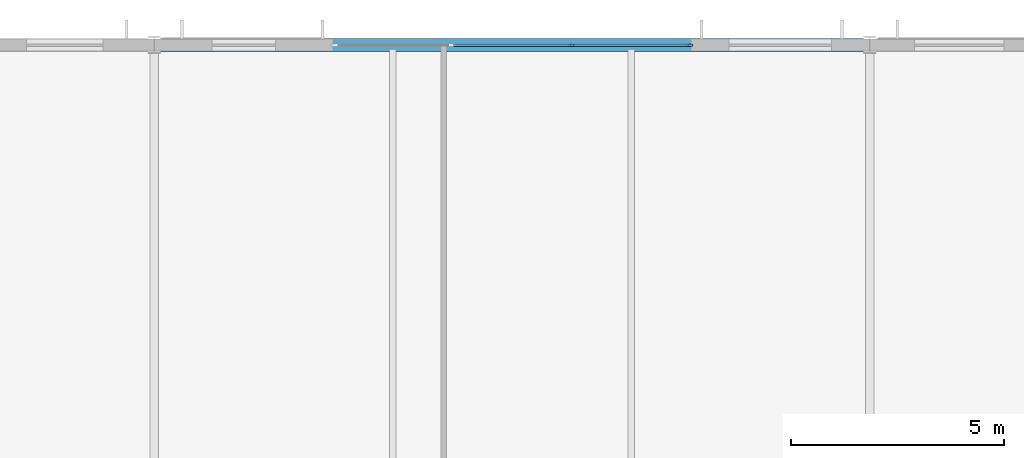
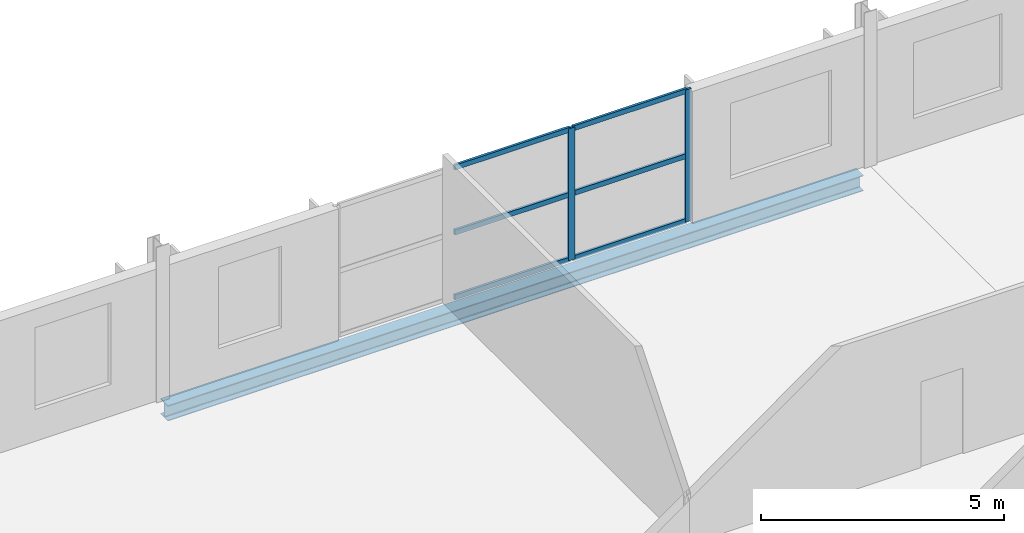
# One storey, part 18 of 36: 8 members, 1 beam, 1 element without a shape of its own.
"""IFC4 building model written with IfcOpenShell, lengths in metres."""

from ifc_helpers import new_model, si_unit, direction, frame, origin, origin_2d, place, context, subcontext, project, spatial, rectangle, i_section, extrude, material, material_profile, profile_set, type_object, element, aggregate, save


model = new_model("IFC4")

# Units and contexts
model_context = context("Model", 3, precision=1e-05, world=origin(), true_north=direction((0.0, 1.0)))
body_context = subcontext(model_context, "Body", "Model", "MODEL_VIEW")
ifc_project = project(units=[si_unit("LENGTHUNIT", "METRE"), si_unit("AREAUNIT", "SQUARE_METRE"), si_unit("VOLUMEUNIT", "CUBIC_METRE"), si_unit("PLANEANGLEUNIT", "RADIAN"), si_unit("MASSUNIT", "GRAM", prefix="KILO")], contexts=[model_context])

# Site, building, storey
site_placement = place(None, origin())
site = spatial("IfcSite", under=ifc_project, at=site_placement, CompositionType="ELEMENT")
building_placement = place(site_placement, origin())
building = spatial("IfcBuilding", under=site, at=building_placement, Name="Kimbaza Rail Terminus", CompositionType="ELEMENT")
storey_placement = place(building_placement, frame((0.0, 0.0, 21.0)))
storey = spatial("IfcBuildingStorey", under=building, at=storey_placement, Name="L04", CompositionType="ELEMENT", Elevation=21.0)

# Curtain wall, members
ifc_material_1 = material(Name="Anodised aluminium framing and solar low-E glazing", Category="aluminium")
curtain_wall_type = type_object("IfcCurtainWallType", Name="ARC-CW-OP2", PredefinedType="USERDEFINED", material=ifc_material_1)
curtain_wall_placement = place(storey_placement, origin())
curtain_wall = element("IfcCurtainWall", 1, at=curtain_wall_placement, inside=storey, type_object=curtain_wall_type, Name="Operations North Curtain Wall L04 Bay 4", ObjectType="STICK CURTAIN WALL", PredefinedType="USERDEFINED")
ifc_material_2 = material(Name="Anodised architectural aluminium", Category="aluminium")
ifc_material_profile_1 = material_profile(ifc_material_2, rectangle(XDim=0.05810546875, YDim=0.14990234375, at=origin_2d()), Name="MULLION 58x150")
ifc_profile_set_1 = profile_set([ifc_material_profile_1], Name="Anodised architectural aluminium")
member_type_1 = type_object("IfcMemberType", Name="ARC-CWM-06", PredefinedType="MULLION", material=ifc_profile_set_1)
member_1_placement = place(storey_placement, frame((115.39990234375, 133.0, 0.0), z_axis=(0.0, 0.0, 1.0), x_axis=(0.0, 1.0, 0.0)))
member_1 = element("IfcMember", 2, at=member_1_placement, type_object=member_type_1, Name="CW-06 mullion 3", PredefinedType="MULLION", context=body_context, shape_type="SweptSolid", body=[
    extrude(rectangle(XDim=0.05810546875, YDim=0.14990234375, at=origin_2d()), origin(), (0.0, 0.0, 1.0), 3.31494140625),
])
member_2_placement = place(storey_placement, frame((118.1708984375, 133.0, 0.0), z_axis=(0.0, 0.0, 1.0), x_axis=(0.0, 1.0, 0.0)))
member_2 = element("IfcMember", 3, at=member_2_placement, type_object=member_type_1, Name="CW-06 mullion 4", PredefinedType="MULLION", context=body_context, shape_type="SweptSolid", body=[
    extrude(rectangle(XDim=0.05810546875, YDim=0.14990234375, at=origin_2d()), origin(), (0.0, 0.0, 1.0), 3.31494140625),
])
ifc_material_3 = material(Name="Anodised architectural aluminium", Category="aluminium")
ifc_material_profile_2 = material_profile(ifc_material_3, rectangle(XDim=0.05810546875, YDim=0.125, at=origin_2d()), Name="TRANSOM 58x125")
ifc_profile_set_2 = profile_set([ifc_material_profile_2], Name="Anodised architectural aluminium")
member_type_2 = type_object("IfcMemberType", Name="ARC-CWT-06", PredefinedType="USERDEFINED", material=ifc_profile_set_2)
member_3_placement = place(storey_placement, frame((112.62890625, 133.0, 0.029052734375), z_axis=(1.0, 0.0, 0.0), x_axis=(0.0, 1.0, 0.0)))
member_3 = element("IfcMember", 4, at=member_3_placement, type_object=member_type_2, Name="CW-06 transom 2.1", ObjectType="TRANSOM", PredefinedType="USERDEFINED", context=body_context, shape_type="SweptSolid", body=[
    extrude(rectangle(XDim=0.05810546875, YDim=0.125, at=origin_2d()), origin(), (0.0, 0.0, 1.0), 2.7421875),
])
member_4_placement = place(storey_placement, frame((112.62890625, 133.0, 1.657470703125), z_axis=(1.0, 0.0, 0.0), x_axis=(0.0, 1.0, 0.0)))
member_4 = element("IfcMember", 5, at=member_4_placement, type_object=member_type_2, Name="CW-06 transom 2.2", ObjectType="TRANSOM", PredefinedType="USERDEFINED", context=body_context, shape_type="SweptSolid", body=[
    extrude(rectangle(XDim=0.05810546875, YDim=0.125, at=origin_2d()), origin(), (0.0, 0.0, 1.0), 2.7421875),
])
member_5_placement = place(storey_placement, frame((112.62890625, 133.0, 3.285888671875), z_axis=(1.0, 0.0, 0.0), x_axis=(0.0, 1.0, 0.0)))
member_5 = element("IfcMember", 6, at=member_5_placement, type_object=member_type_2, Name="CW-06 transom 2.3", ObjectType="TRANSOM", PredefinedType="USERDEFINED", context=body_context, shape_type="SweptSolid", body=[
    extrude(rectangle(XDim=0.05810546875, YDim=0.125, at=origin_2d()), origin(), (0.0, 0.0, 1.0), 2.7421875),
])
member_6_placement = place(storey_placement, frame((115.428955078125, 133.0, 0.029052734375), z_axis=(1.0, 0.0, 0.0), x_axis=(0.0, 1.0, 0.0)))
member_6 = element("IfcMember", 7, at=member_6_placement, type_object=member_type_2, Name="CW-06 transom 3.1", ObjectType="TRANSOM", PredefinedType="USERDEFINED", context=body_context, shape_type="SweptSolid", body=[
    extrude(rectangle(XDim=0.05810546875, YDim=0.125, at=origin_2d()), origin(), (0.0, 0.0, 1.0), 2.713134765625),
])
member_7_placement = place(storey_placement, frame((115.428955078125, 133.0, 1.657470703125), z_axis=(1.0, 0.0, 0.0), x_axis=(0.0, 1.0, 0.0)))
member_7 = element("IfcMember", 8, at=member_7_placement, type_object=member_type_2, Name="CW-06 transom 3.2", ObjectType="TRANSOM", PredefinedType="USERDEFINED", context=body_context, shape_type="SweptSolid", body=[
    extrude(rectangle(XDim=0.05810546875, YDim=0.125, at=origin_2d()), origin(), (0.0, 0.0, 1.0), 2.713134765625),
])
member_8_placement = place(storey_placement, frame((115.428955078125, 133.0, 3.285888671875), z_axis=(1.0, 0.0, 0.0), x_axis=(0.0, 1.0, 0.0)))
member_8 = element("IfcMember", 9, at=member_8_placement, type_object=member_type_2, Name="CW-06 transom 3.3", ObjectType="TRANSOM", PredefinedType="USERDEFINED", context=body_context, shape_type="SweptSolid", body=[
    extrude(rectangle(XDim=0.05810546875, YDim=0.125, at=origin_2d()), origin(), (0.0, 0.0, 1.0), 2.713134765625),
])
aggregate(curtain_wall, [member_1, member_2, member_3, member_4, member_5, member_6, member_7, member_8])

# Beam
ifc_material_4 = material(Name="Steel S355", Category="steel")
ifc_material_profile_3 = material_profile(ifc_material_4, i_section(OverallWidth=0.300048828125, OverallDepth=0.389892578125, WebThickness=0.010986328125, FlangeThickness=0.01904296875, FilletRadius=0.027099609375, at=origin_2d()), Name="HEA 400")
ifc_profile_set_3 = profile_set([ifc_material_profile_3], Name="Steel S355")
beam_type = type_object("IfcBeamType", Name="STR-BM-HEA400", PredefinedType="SPANDREL", material=ifc_profile_set_3)
beam_placement = place(storey_placement, frame((105.74609375, 133.0, -0.39501953125), z_axis=(1.0, 0.0, 0.0), x_axis=(0.0, 1.0, 0.0)))
element("IfcBeam", 10, at=beam_placement, inside=storey, type_object=beam_type, Name="Operations Girder L04 X3-Y2", PredefinedType="SPANDREL", context=body_context, shape_type="SweptSolid", body=[
    extrude(i_section(OverallWidth=0.300048828125, OverallDepth=0.389892578125, WebThickness=0.010986328125, FlangeThickness=0.01904296875, FilletRadius=0.027099609375, at=origin_2d()), origin(), (0.0, 0.0, 1.0), 16.5078125),
])

save(model, "model.ifc")
